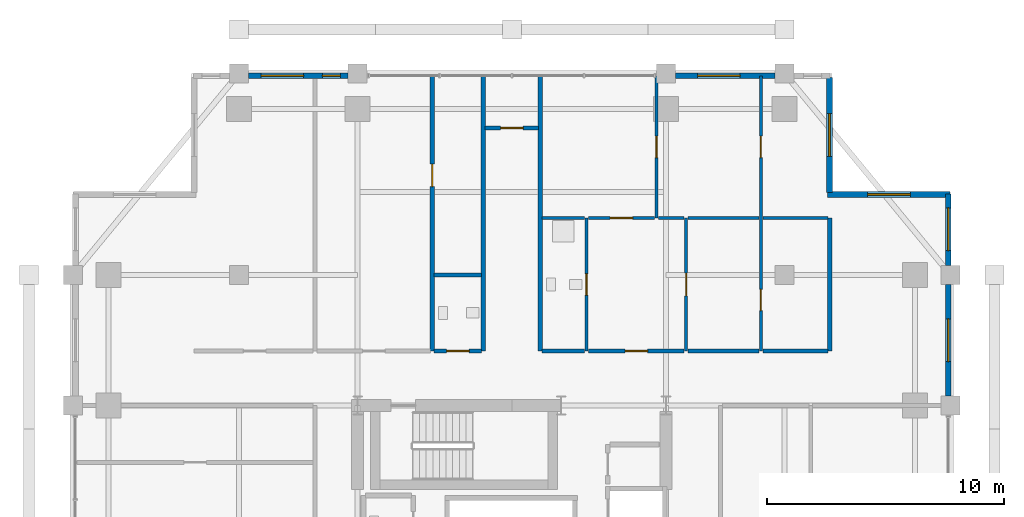
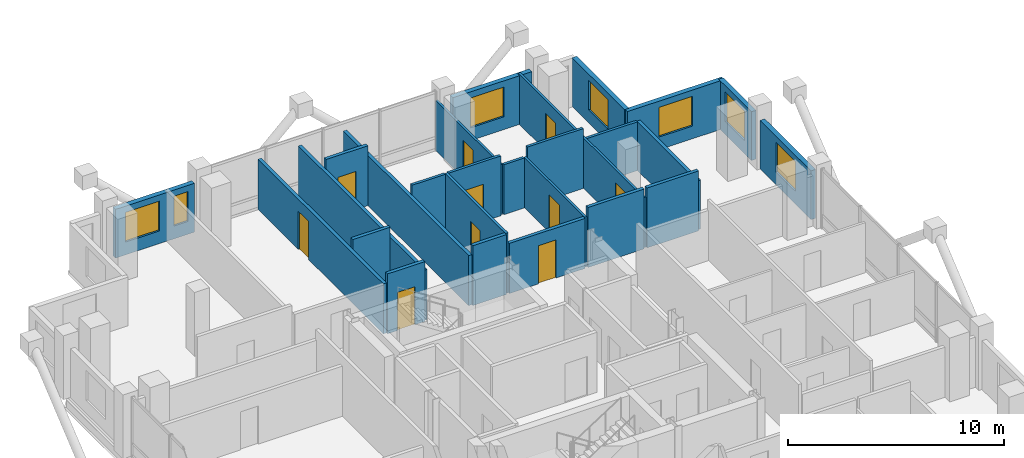
# One storey, part 21 of 24: 26 walls, 10 doors, 7 windows, 17 openings.
"""IFC4 building model written with IfcOpenShell, lengths in metres."""

from ifc_helpers import new_model, si_unit, direction, frame, frame_2d, origin, place, context, subcontext, project, spatial, rectangle, extrude, material, layer, layer_set, type_object, element, fill, save


model = new_model("IFC4")

# Units and contexts
model_context = context("Model", 3, precision=1e-05, world=origin(), true_north=direction((0.0, 1.0)))
body_context = subcontext(model_context, "Body", "Model", "MODEL_VIEW")
ifc_project = project(units=[si_unit("LENGTHUNIT", "METRE"), si_unit("AREAUNIT", "SQUARE_METRE"), si_unit("VOLUMEUNIT", "CUBIC_METRE"), si_unit("PLANEANGLEUNIT", "RADIAN"), si_unit("MASSUNIT", "GRAM", prefix="KILO")], contexts=[model_context])

# Site, building, storey
site_placement = place(None, origin())
site = spatial("IfcSite", under=ifc_project, at=site_placement, CompositionType="ELEMENT")
building_placement = place(site_placement, origin())
building = spatial("IfcBuilding", under=site, at=building_placement, Name="Barlavira Tower and Art Museum", CompositionType="ELEMENT")
storey_placement = place(building_placement, frame((0.0, 0.0, 172.800048828125)))
storey = spatial("IfcBuildingStorey", under=building, at=storey_placement, Name="L44", CompositionType="ELEMENT", Elevation=172.800048828125)

# Wall, opening, door
ifc_material_1 = material(Name="Gypsum acoustic stud partition", Category="gypsum")
ifc_layer_1 = layer(ifc_material_1, 0.1201171875, Name="Gypsum acoustic stud partition")
ifc_layer_set_1 = layer_set([ifc_layer_1], Name="Gypsum acoustic stud partition")
wall_type_1 = type_object("IfcWallType", Name="Apartment Internal Acoustic Partition 120", PredefinedType="PARTITIONING", material=ifc_layer_set_1)
wall_1_placement = place(storey_placement, frame((6.10009765625, 15.39990234375, 0.0), z_axis=(0.0, 0.0, 1.0), x_axis=(0.0, 1.0, 0.0)))
wall_1 = element("IfcWall", 1, at=wall_1_placement, inside=storey, type_object=wall_type_1, Name="L44 Partition Wall 16", PredefinedType="PARTITIONING", context=body_context, shape_type="SweptSolid", body=[
    extrude(rectangle(XDim=6.0, YDim=0.1201171875, at=frame_2d((3.0, 0.0))), origin(), (0.0, 0.0, 1.0), 2.825927734375),
])
opening_1_placement = place(wall_1_placement, frame((2.550048828125, 0.0, 0.0)))
opening_1 = element("IfcOpeningElement", 2, at=opening_1_placement, cuts=wall_1, Name="Opening D-01", PredefinedType="OPENING", context=body_context, shape_type="SweptSolid", body=[
    extrude(rectangle(XDim=0.89990234375, YDim=2.10009765625, at=frame_2d((0.449951171875, 1.050048828125))), frame((0.0, 0.070068359375, 0.0), z_axis=(0.0, -1.0, 0.0), x_axis=(1.0, 0.0, 0.0)), (0.0, 0.0, 1.0), 0.14013671875),
])
ifc_material_2 = material(Name="Engineered coastal hardwood", Category="wood")
door_type_1 = type_object("IfcDoorType", Name="Internal Bedroom Timber Flush Door 900x2100", OperationType="NOTDEFINED", PredefinedType="DOOR", material=ifc_material_2)
door_1_placement = place(opening_1_placement, origin())
door_1 = element("IfcDoor", 3, at=door_1_placement, inside=storey, type_object=door_type_1, Name="Apartment NE1 Bedroom 1 Door", OperationType="SINGLE_SWING_LEFT", OverallHeight=2.10009765625, OverallWidth=0.89990234375, PredefinedType="DOOR", context=body_context, shape_type="SweptSolid", body=[
    extrude(rectangle(XDim=0.89990234375, YDim=2.10009765625, at=frame_2d((0.449951171875, 1.050048828125))), frame((0.0, 0.02490234375, 0.0), z_axis=(0.0, -1.0, 0.0), x_axis=(1.0, 0.0, 0.0)), (0.0, 0.0, 1.0), 0.050048828125),
])
fill(opening_1, door_1)

wall_2_placement = place(storey_placement, frame((7.35009765625, 9.800048828125, 0.0), z_axis=(0.0, 0.0, 1.0), x_axis=(0.0, 1.0, 0.0)))
wall_2 = element("IfcWall", 4, at=wall_2_placement, inside=storey, type_object=wall_type_1, Name="L44 Partition Wall 18", PredefinedType="PARTITIONING", context=body_context, shape_type="SweptSolid", body=[
    extrude(rectangle(XDim=5.599853515625, YDim=0.1201171875, at=frame_2d((2.7998046875, 0.0))), origin(), (0.0, 0.0, 1.0), 2.825927734375),
])
opening_2_placement = place(wall_2_placement, frame((2.324951171875, 0.0, 0.0)))
opening_2 = element("IfcOpeningElement", 5, at=opening_2_placement, cuts=wall_2, Name="Opening D-02", PredefinedType="OPENING", context=body_context, shape_type="SweptSolid", body=[
    extrude(rectangle(XDim=0.949951171875, YDim=2.10009765625, at=frame_2d((0.47509765625, 1.050048828125))), frame((0.0, 0.070068359375, 0.0), z_axis=(0.0, -1.0, 0.0), x_axis=(1.0, 0.0, 0.0)), (0.0, 0.0, 1.0), 0.14013671875),
])
door_type_2 = type_object("IfcDoorType", Name="Living and Salon Glazed-Leaf Door 950x2100", OperationType="NOTDEFINED", PredefinedType="DOOR", material=ifc_material_2)
door_2_placement = place(opening_2_placement, origin())
door_2 = element("IfcDoor", 6, at=door_2_placement, inside=storey, type_object=door_type_2, Name="Apartment NE1 Kitchen Door", OperationType="SINGLE_SWING_RIGHT", OverallHeight=2.10009765625, OverallWidth=0.949951171875, PredefinedType="DOOR", context=body_context, shape_type="SweptSolid", body=[
    extrude(rectangle(XDim=0.949951171875, YDim=2.10009765625, at=frame_2d((0.47509765625, 1.050048828125))), frame((0.0, 0.02490234375, 0.0), z_axis=(0.0, -1.0, 0.0), x_axis=(1.0, 0.0, 0.0)), (0.0, 0.0, 1.0), 0.050048828125),
])
fill(opening_2, door_2)

# Wall, openings, doors
wall_3_placement = place(storey_placement, frame((10.5, 9.800048828125, 0.0), z_axis=(0.0, 0.0, 1.0), x_axis=(0.0, 1.0, 0.0)))
wall_3 = element("IfcWall", 7, at=wall_3_placement, inside=storey, type_object=wall_type_1, Name="L44 Partition Wall 21", PredefinedType="PARTITIONING", context=body_context, shape_type="SweptSolid", body=[
    extrude(rectangle(XDim=11.599853515625, YDim=0.1201171875, at=frame_2d((5.7998046875, 0.0))), origin(), (0.0, 0.0, 1.0), 2.825927734375),
])
opening_3_placement = place(wall_3_placement, frame((1.694091796875, 0.0, 0.0)))
opening_3 = element("IfcOpeningElement", 8, at=opening_3_placement, cuts=wall_3, Name="Opening D-01", PredefinedType="OPENING", context=body_context, shape_type="SweptSolid", body=[
    extrude(rectangle(XDim=0.89990234375, YDim=2.10009765625, at=frame_2d((0.449951171875, 1.050048828125))), frame((0.0, 0.070068359375, 0.0), z_axis=(0.0, -1.0, 0.0), x_axis=(1.0, 0.0, 0.0)), (0.0, 0.0, 1.0), 0.14013671875),
])
opening_4_placement = place(wall_3_placement, frame((8.14990234375, 0.0, 0.0)))
opening_4 = element("IfcOpeningElement", 9, at=opening_4_placement, cuts=wall_3, Name="Opening D-01", PredefinedType="OPENING", context=body_context, shape_type="SweptSolid", body=[
    extrude(rectangle(XDim=0.89990234375, YDim=2.10009765625, at=frame_2d((0.449951171875, 1.050048828125))), frame((0.0, 0.070068359375, 0.0), z_axis=(0.0, -1.0, 0.0), x_axis=(1.0, 0.0, 0.0)), (0.0, 0.0, 1.0), 0.14013671875),
])
door_3_placement = place(opening_3_placement, origin())
door_3 = element("IfcDoor", 10, at=door_3_placement, inside=storey, type_object=door_type_1, Name="Apartment NE1 Walk-In Dressing Room Door", OperationType="SINGLE_SWING_LEFT", OverallHeight=2.10009765625, OverallWidth=0.89990234375, PredefinedType="DOOR", context=body_context, shape_type="SweptSolid", body=[
    extrude(rectangle(XDim=0.89990234375, YDim=2.10009765625, at=frame_2d((0.449951171875, 1.050048828125))), frame((0.0, 0.02490234375, 0.0), z_axis=(0.0, -1.0, 0.0), x_axis=(1.0, 0.0, 0.0)), (0.0, 0.0, 1.0), 0.050048828125),
])
fill(opening_3, door_3)
door_4_placement = place(opening_4_placement, origin())
door_4 = element("IfcDoor", 11, at=door_4_placement, inside=storey, type_object=door_type_1, Name="Apartment NE1 Bedroom 2 Door", OperationType="SINGLE_SWING_RIGHT", OverallHeight=2.10009765625, OverallWidth=0.89990234375, PredefinedType="DOOR", context=body_context, shape_type="SweptSolid", body=[
    extrude(rectangle(XDim=0.89990234375, YDim=2.10009765625, at=frame_2d((0.449951171875, 1.050048828125))), frame((0.0, 0.02490234375, 0.0), z_axis=(0.0, -1.0, 0.0), x_axis=(1.0, 0.0, 0.0)), (0.0, 0.0, 1.0), 0.050048828125),
])
fill(opening_4, door_4)

# Wall, opening, door
ifc_layer_2 = layer(ifc_material_1, 0.179931640625, Name="Gypsum acoustic stud partition")
ifc_layer_set_2 = layer_set([ifc_layer_2], Name="Gypsum acoustic stud partition")
wall_type_2 = type_object("IfcWallType", Name="Inter-Tenancy Party Partition Wall 180", PredefinedType="PARTITIONING", material=ifc_layer_set_2)
wall_4_placement = place(storey_placement, frame((-3.35009765625, 9.800048828125, 0.0), z_axis=(0.0, 0.0, 1.0), x_axis=(0.0, 1.0, 0.0)))
wall_4 = element("IfcWall", 12, at=wall_4_placement, inside=storey, type_object=wall_type_2, Name="L44 Partition Wall 7", PredefinedType="PARTITIONING", context=body_context, shape_type="SweptSolid", body=[
    extrude(rectangle(XDim=11.599853515625, YDim=0.179931640625, at=frame_2d((5.7998046875, 0.0))), origin(), (0.0, 0.0, 1.0), 2.825927734375),
])
opening_5_placement = place(wall_4_placement, frame((6.925048828125, 0.0, 0.0)))
opening_5 = element("IfcOpeningElement", 13, at=opening_5_placement, cuts=wall_4, Name="Opening FD-60", PredefinedType="OPENING", context=body_context, shape_type="SweptSolid", body=[
    extrude(rectangle(XDim=0.949951171875, YDim=2.14990234375, at=frame_2d((0.47509765625, 1.074951171875))), frame((0.0, 0.10009765625, 0.0), z_axis=(0.0, -1.0, 0.0), x_axis=(1.0, 0.0, 0.0)), (0.0, 0.0, 1.0), 0.199951171875),
])
ifc_material_3 = material(Name="Brushed stainless steel", Category="steel")
door_type_3 = type_object("IfcDoorType", Name="Apartment Entrance and Riser Fire Door 950x2150 FD60S", OperationType="NOTDEFINED", PredefinedType="DOOR", material=ifc_material_3)
door_5_placement = place(opening_5_placement, origin())
door_5 = element("IfcDoor", 14, at=door_5_placement, inside=storey, type_object=door_type_3, Name="Thermal Relaxation Lounge Door", OperationType="SINGLE_SWING_LEFT", OverallHeight=2.14990234375, OverallWidth=0.949951171875, PredefinedType="DOOR", context=body_context, shape_type="SweptSolid", body=[
    extrude(rectangle(XDim=0.949951171875, YDim=2.14990234375, at=frame_2d((0.47509765625, 1.074951171875))), frame((0.0, 0.02490234375, 0.0), z_axis=(0.0, -1.0, 0.0), x_axis=(1.0, 0.0, 0.0)), (0.0, 0.0, 1.0), 0.050048828125),
])
fill(opening_5, door_5)

# Walls
for number, where, z_axis, x_axis, name in (
    (15, (-1.199951171875, 9.800048828125, 0.0), (0.0, 0.0, 1.0), (0.0, 1.0, 0.0), "L44 Partition Wall 9"),
    (16, (1.199951171875, 9.800048828125, 0.0), (0.0, 0.0, 1.0), (0.0, 1.0, 0.0), "L44 Partition Wall 11"),
):
    element("IfcWall", number, at=place(storey_placement, frame(where, z_axis=z_axis, x_axis=x_axis)), inside=storey, type_object=wall_type_2, Name=name, PredefinedType="PARTITIONING", context=body_context, shape_type="SweptSolid", body=[
        extrude(rectangle(XDim=11.599853515625, YDim=0.179931640625, at=frame_2d((5.7998046875, 0.0))), origin(), (0.0, 0.0, 1.0), 2.825927734375),
    ])
wall_5_placement = place(storey_placement, frame((13.39990234375, 9.800048828125, 0.0), z_axis=(0.0, 0.0, 1.0), x_axis=(0.0, 1.0, 0.0)))
element("IfcWall", 17, at=wall_5_placement, inside=storey, type_object=wall_type_2, Name="L44 Partition Wall 24", PredefinedType="PARTITIONING", context=body_context, shape_type="SweptSolid", body=[
    extrude(rectangle(XDim=5.599853515625, YDim=0.179931640625, at=frame_2d((2.7998046875, 0.0))), origin(), (0.0, 0.0, 1.0), 2.748046875),
])

# Wall, opening, door
wall_6_placement = place(storey_placement, frame((-3.27001953125, 9.800048828125, 0.0), z_axis=(0.0, 0.0, 1.0), x_axis=(1.0, 0.0, 0.0)))
wall_6 = element("IfcWall", 18, at=wall_6_placement, inside=storey, type_object=wall_type_2, Name="L44 Partition Wall 57", PredefinedType="PARTITIONING", context=body_context, shape_type="SweptSolid", body=[
    extrude(rectangle(XDim=1.989990234375, YDim=0.179931640625, at=frame_2d((0.9951171875, 0.0))), origin(), (0.0, 0.0, 1.0), 3.3798828125),
])
opening_6_placement = place(wall_6_placement, frame((0.52490234375, 0.0, 0.0)))
opening_6 = element("IfcOpeningElement", 19, at=opening_6_placement, cuts=wall_6, Name="Opening FD-60", PredefinedType="OPENING", context=body_context, shape_type="SweptSolid", body=[
    extrude(rectangle(XDim=0.949951171875, YDim=2.14990234375, at=frame_2d((0.47509765625, 1.074951171875))), frame((0.0, 0.10009765625, 0.0), z_axis=(0.0, -1.0, 0.0), x_axis=(1.0, 0.0, 0.0)), (0.0, 0.0, 1.0), 0.199951171875),
])
door_6_placement = place(opening_6_placement, origin())
door_6 = element("IfcDoor", 20, at=door_6_placement, inside=storey, type_object=door_type_3, Name="Wellness Changing and Accessible Shower WC Door", OperationType="SINGLE_SWING_RIGHT", OverallHeight=2.14990234375, OverallWidth=0.949951171875, PredefinedType="DOOR", context=body_context, shape_type="SweptSolid", body=[
    extrude(rectangle(XDim=0.949951171875, YDim=2.14990234375, at=frame_2d((0.47509765625, 1.074951171875))), frame((0.0, 0.02490234375, 0.0), z_axis=(0.0, -1.0, 0.0), x_axis=(1.0, 0.0, 0.0)), (0.0, 0.0, 1.0), 0.050048828125),
])
fill(opening_6, door_6)

# Wall
wall_7_placement = place(storey_placement, frame((1.280029296875, 9.800048828125, 0.0), z_axis=(0.0, 0.0, 1.0), x_axis=(1.0, 0.0, 0.0)))
element("IfcWall", 21, at=wall_7_placement, inside=storey, type_object=wall_type_2, Name="L44 Partition Wall 58", PredefinedType="PARTITIONING", context=body_context, shape_type="SweptSolid", body=[
    extrude(rectangle(XDim=1.7900390625, YDim=0.179931640625, at=frame_2d((0.89501953125, 0.0))), origin(), (0.0, 0.0, 1.0), 3.3798828125),
])

# Wall, opening, door
wall_8_placement = place(storey_placement, frame((3.22998046875, 9.800048828125, 0.0), z_axis=(0.0, 0.0, 1.0), x_axis=(1.0, 0.0, 0.0)))
wall_8 = element("IfcWall", 22, at=wall_8_placement, inside=storey, type_object=wall_type_2, Name="L44 Partition Wall 59", PredefinedType="PARTITIONING", context=body_context, shape_type="SweptSolid", body=[
    extrude(rectangle(XDim=4.0400390625, YDim=0.179931640625, at=frame_2d((2.02001953125, 0.0))), origin(), (0.0, 0.0, 1.0), 2.825927734375),
])
opening_7_placement = place(wall_8_placement, frame((1.544921875, 0.0, 0.0)))
opening_7 = element("IfcOpeningElement", 23, at=opening_7_placement, cuts=wall_8, Name="Opening FD-60", PredefinedType="OPENING", context=body_context, shape_type="SweptSolid", body=[
    extrude(rectangle(XDim=0.949951171875, YDim=2.14990234375, at=frame_2d((0.47509765625, 1.074951171875))), frame((0.0, 0.10009765625, 0.0), z_axis=(0.0, -1.0, 0.0), x_axis=(1.0, 0.0, 0.0)), (0.0, 0.0, 1.0), 0.199951171875),
])
door_7_placement = place(opening_7_placement, origin())
door_7 = element("IfcDoor", 24, at=door_7_placement, inside=storey, type_object=door_type_3, Name="Apartment Entrance Hall NE1 Door", OperationType="SINGLE_SWING_LEFT", OverallHeight=2.14990234375, OverallWidth=0.949951171875, PredefinedType="DOOR", context=body_context, shape_type="SweptSolid", body=[
    extrude(rectangle(XDim=0.949951171875, YDim=2.14990234375, at=frame_2d((0.47509765625, 1.074951171875))), frame((0.0, 0.02490234375, 0.0), z_axis=(0.0, -1.0, 0.0), x_axis=(1.0, 0.0, 0.0)), (0.0, 0.0, 1.0), 0.050048828125),
])
fill(opening_7, door_7)

# Walls
wall_9_placement = place(storey_placement, frame((7.429931640625, 9.800048828125, 0.0), z_axis=(0.0, 0.0, 1.0), x_axis=(1.0, 0.0, 0.0)))
element("IfcWall", 25, at=wall_9_placement, inside=storey, type_object=wall_type_2, Name="L44 Partition Wall 60", PredefinedType="PARTITIONING", context=body_context, shape_type="SweptSolid", body=[
    extrude(rectangle(XDim=2.989990234375, YDim=0.179931640625, at=frame_2d((1.4951171875, 0.0))), origin(), (0.0, 0.0, 1.0), 3.3798828125),
])
wall_10_placement = place(storey_placement, frame((10.580078125, 9.800048828125, 0.0), z_axis=(0.0, 0.0, 1.0), x_axis=(1.0, 0.0, 0.0)))
element("IfcWall", 26, at=wall_10_placement, inside=storey, type_object=wall_type_2, Name="L44 Partition Wall 61", PredefinedType="PARTITIONING", context=body_context, shape_type="SweptSolid", body=[
    extrude(rectangle(XDim=2.739990234375, YDim=0.179931640625, at=frame_2d((1.3701171875, 0.0))), origin(), (0.0, 0.0, 1.0), 3.3798828125),
])
wall_11_placement = place(storey_placement, frame((-3.27001953125, 13.0, 0.0), z_axis=(0.0, 0.0, 1.0), x_axis=(1.0, 0.0, 0.0)))
element("IfcWall", 27, at=wall_11_placement, inside=storey, type_object=wall_type_2, Name="L44 Partition Wall 62", PredefinedType="PARTITIONING", context=body_context, shape_type="SweptSolid", body=[
    extrude(rectangle(XDim=1.989990234375, YDim=0.179931640625, at=frame_2d((0.9951171875, 0.0))), origin(), (0.0, 0.0, 1.0), 3.3798828125),
])

# Wall, opening, door
wall_12_placement = place(storey_placement, frame((-1.1201171875, 19.199951171875, 0.0), z_axis=(0.0, 0.0, 1.0), x_axis=(1.0, 0.0, 0.0)))
wall_12 = element("IfcWall", 28, at=wall_12_placement, inside=storey, type_object=wall_type_2, Name="L44 Partition Wall 68", PredefinedType="PARTITIONING", context=body_context, shape_type="SweptSolid", body=[
    extrude(rectangle(XDim=2.240234375, YDim=0.179931640625, at=frame_2d((1.1201171875, 0.0))), origin(), (0.0, 0.0, 1.0), 3.3798828125),
])
opening_8_placement = place(wall_12_placement, frame((0.64501953125, 0.0, 0.0)))
opening_8 = element("IfcOpeningElement", 29, at=opening_8_placement, cuts=wall_12, Name="Opening FD-60", PredefinedType="OPENING", context=body_context, shape_type="SweptSolid", body=[
    extrude(rectangle(XDim=0.949951171875, YDim=2.14990234375, at=frame_2d((0.47509765625, 1.074951171875))), frame((0.0, 0.10009765625, 0.0), z_axis=(0.0, -1.0, 0.0), x_axis=(1.0, 0.0, 0.0)), (0.0, 0.0, 1.0), 0.199951171875),
])
door_8_placement = place(opening_8_placement, origin())
door_8 = element("IfcDoor", 30, at=door_8_placement, inside=storey, type_object=door_type_3, Name="L44 North Ocean Alcove Door", OperationType="SINGLE_SWING_LEFT", OverallHeight=2.14990234375, OverallWidth=0.949951171875, PredefinedType="DOOR", context=body_context, shape_type="SweptSolid", body=[
    extrude(rectangle(XDim=0.949951171875, YDim=2.14990234375, at=frame_2d((0.47509765625, 1.074951171875))), frame((0.0, 0.02490234375, 0.0), z_axis=(0.0, -1.0, 0.0), x_axis=(1.0, 0.0, 0.0)), (0.0, 0.0, 1.0), 0.050048828125),
])
fill(opening_8, door_8)

ifc_layer_3 = layer(ifc_material_1, 0.139892578125, Name="Gypsum acoustic stud partition")
ifc_layer_set_3 = layer_set([ifc_layer_3], Name="Gypsum acoustic stud partition")
wall_type_3 = type_object("IfcWallType", Name="Moisture-Resistant Bathroom Partition 140", PredefinedType="PARTITIONING", material=ifc_layer_set_3)
wall_13_placement = place(storey_placement, frame((3.14990234375, 9.800048828125, 0.0), z_axis=(0.0, 0.0, 1.0), x_axis=(0.0, 1.0, 0.0)))
wall_13 = element("IfcWall", 31, at=wall_13_placement, inside=storey, type_object=wall_type_3, Name="L44 Partition Wall 13", PredefinedType="PARTITIONING", context=body_context, shape_type="SweptSolid", body=[
    extrude(rectangle(XDim=5.599853515625, YDim=0.139892578125, at=frame_2d((2.7998046875, 0.0))), origin(), (0.0, 0.0, 1.0), 3.3798828125),
])
opening_9_placement = place(wall_13_placement, frame((2.35009765625, 0.0, 0.0)))
opening_9 = element("IfcOpeningElement", 32, at=opening_9_placement, cuts=wall_13, Name="Opening D-WC", PredefinedType="OPENING", context=body_context, shape_type="SweptSolid", body=[
    extrude(rectangle(XDim=0.89990234375, YDim=2.10009765625, at=frame_2d((0.449951171875, 1.050048828125))), frame((0.0, 0.080078125, 0.0), z_axis=(0.0, -1.0, 0.0), x_axis=(1.0, 0.0, 0.0)), (0.0, 0.0, 1.0), 0.159912109375),
])
door_type_4 = type_object("IfcDoorType", Name="Accessible Bathroom Flush Door 900x2100", OperationType="NOTDEFINED", PredefinedType="DOOR", material=ifc_material_2)
door_9_placement = place(opening_9_placement, origin())
door_9 = element("IfcDoor", 33, at=door_9_placement, inside=storey, type_object=door_type_4, Name="Apartment NE1 Hall Bathroom Door", OperationType="SINGLE_SWING_RIGHT", OverallHeight=2.10009765625, OverallWidth=0.89990234375, PredefinedType="DOOR", context=body_context, shape_type="SweptSolid", body=[
    extrude(rectangle(XDim=0.89990234375, YDim=2.10009765625, at=frame_2d((0.449951171875, 1.050048828125))), frame((0.0, 0.02490234375, 0.0), z_axis=(0.0, -1.0, 0.0), x_axis=(1.0, 0.0, 0.0)), (0.0, 0.0, 1.0), 0.050048828125),
])
fill(opening_9, door_9)

# Wall
wall_14_placement = place(storey_placement, frame((1.280029296875, 15.39990234375, 0.0), z_axis=(0.0, 0.0, 1.0), x_axis=(1.0, 0.0, 0.0)))
element("IfcWall", 34, at=wall_14_placement, inside=storey, type_object=wall_type_3, Name="L44 Partition Wall 63", PredefinedType="PARTITIONING", context=body_context, shape_type="SweptSolid", body=[
    extrude(rectangle(XDim=1.7900390625, YDim=0.139892578125, at=frame_2d((0.89501953125, 0.0))), origin(), (0.0, 0.0, 1.0), 3.3798828125),
])

# Wall, opening, door
wall_15_placement = place(storey_placement, frame((3.22998046875, 15.39990234375, 0.0), z_axis=(0.0, 0.0, 1.0), x_axis=(1.0, 0.0, 0.0)))
wall_15 = element("IfcWall", 35, at=wall_15_placement, inside=storey, type_object=wall_type_3, Name="L44 Partition Wall 64", PredefinedType="PARTITIONING", context=body_context, shape_type="SweptSolid", body=[
    extrude(rectangle(XDim=2.7900390625, YDim=0.139892578125, at=frame_2d((1.39501953125, 0.0))), origin(), (0.0, 0.0, 1.0), 3.3798828125),
])
opening_10_placement = place(wall_15_placement, frame((0.9150390625, 0.0, 0.0)))
opening_10 = element("IfcOpeningElement", 36, at=opening_10_placement, cuts=wall_15, Name="Opening D-02", PredefinedType="OPENING", context=body_context, shape_type="SweptSolid", body=[
    extrude(rectangle(XDim=0.949951171875, YDim=2.10009765625, at=frame_2d((0.47509765625, 1.050048828125))), frame((0.0, 0.080078125, 0.0), z_axis=(0.0, -1.0, 0.0), x_axis=(1.0, 0.0, 0.0)), (0.0, 0.0, 1.0), 0.159912109375),
])
door_10_placement = place(opening_10_placement, origin())
door_10 = element("IfcDoor", 37, at=door_10_placement, inside=storey, type_object=door_type_2, Name="Apartment NE1 Living Lounge Door", OperationType="SINGLE_SWING_RIGHT", OverallHeight=2.10009765625, OverallWidth=0.949951171875, PredefinedType="DOOR", context=body_context, shape_type="SweptSolid", body=[
    extrude(rectangle(XDim=0.949951171875, YDim=2.10009765625, at=frame_2d((0.47509765625, 1.050048828125))), frame((0.0, 0.02490234375, 0.0), z_axis=(0.0, -1.0, 0.0), x_axis=(1.0, 0.0, 0.0)), (0.0, 0.0, 1.0), 0.050048828125),
])
fill(opening_10, door_10)

# Walls
wall_16_placement = place(storey_placement, frame((6.179931640625, 15.39990234375, 0.0), z_axis=(0.0, 0.0, 1.0), x_axis=(1.0, 0.0, 0.0)))
element("IfcWall", 38, at=wall_16_placement, inside=storey, type_object=wall_type_3, Name="L44 Partition Wall 65", PredefinedType="PARTITIONING", context=body_context, shape_type="SweptSolid", body=[
    extrude(rectangle(XDim=1.090087890625, YDim=0.139892578125, at=frame_2d((0.544921875, 0.0))), origin(), (0.0, 0.0, 1.0), 2.825927734375),
])
wall_17_placement = place(storey_placement, frame((7.429931640625, 15.39990234375, 0.0), z_axis=(0.0, 0.0, 1.0), x_axis=(1.0, 0.0, 0.0)))
element("IfcWall", 39, at=wall_17_placement, inside=storey, type_object=wall_type_3, Name="L44 Partition Wall 66", PredefinedType="PARTITIONING", context=body_context, shape_type="SweptSolid", body=[
    extrude(rectangle(XDim=2.989990234375, YDim=0.139892578125, at=frame_2d((1.4951171875, 0.0))), origin(), (0.0, 0.0, 1.0), 3.3798828125),
])
wall_18_placement = place(storey_placement, frame((10.580078125, 15.39990234375, 0.0), z_axis=(0.0, 0.0, 1.0), x_axis=(1.0, 0.0, 0.0)))
element("IfcWall", 40, at=wall_18_placement, inside=storey, type_object=wall_type_3, Name="L44 Partition Wall 67", PredefinedType="PARTITIONING", context=body_context, shape_type="SweptSolid", body=[
    extrude(rectangle(XDim=2.739990234375, YDim=0.139892578125, at=frame_2d((1.3701171875, 0.0))), origin(), (0.0, 0.0, 1.0), 2.748046875),
])

# Wall, opening, window
ifc_material_4 = material(Name="Precast concrete C40", Category="concrete")
ifc_layer_4 = layer(ifc_material_4, 0.25, Name="Precast concrete C40")
ifc_layer_set_4 = layer_set([ifc_layer_4], Name="Precast concrete C40")
wall_type_4 = type_object("IfcWallType", Name="Notched Corner Spandrel Wall 250 Precast Concrete C40", PredefinedType="SOLIDWALL", material=ifc_layer_set_4)
wall_19_placement = place(storey_placement, frame((11.10498046875, 21.39990234375, 0.0), z_axis=(0.0, 0.0, 1.0), x_axis=(-1.0, 0.0, 0.0)))
wall_19 = element("IfcWall", 41, at=wall_19_placement, inside=storey, type_object=wall_type_4, Name="L44 Coastal Facade Pier Wall CW3-L44-N-2", PredefinedType="SOLIDWALL", context=body_context, shape_type="SweptSolid", body=[
    extrude(rectangle(XDim=4.2099609375, YDim=0.25, at=frame_2d((2.10498046875, 0.0))), origin(), (0.0, 0.0, 1.0), 2.748046875),
])
opening_11_placement = place(wall_19_placement, frame((1.47509765625, 0.0, 0.719970703125)))
opening_11 = element("IfcOpeningElement", 42, at=opening_11_placement, cuts=wall_19, Name="Opening WN-01", PredefinedType="OPENING", context=body_context, shape_type="SweptSolid", body=[
    extrude(rectangle(XDim=1.800048828125, YDim=1.679931640625, at=frame_2d((0.89990234375, 0.83984375))), frame((0.0, 0.135009765625, 0.0), z_axis=(0.0, -1.0, 0.0), x_axis=(1.0, 0.0, 0.0)), (0.0, 0.0, 1.0), 0.27001953125),
])
ifc_material_5 = material(Name="Low-iron coastal laminated glass", Category="glass")
window_type_1 = type_object("IfcWindowType", Name="Recessed Notch Corner Punch Window 1800x1680", PartitioningType="SINGLE_PANEL", PredefinedType="WINDOW", material=ifc_material_5)
window_1_placement = place(opening_11_placement, origin())
window_1 = element("IfcWindow", 43, at=window_1_placement, inside=storey, type_object=window_type_1, Name="L44 Punched Facade Window EWP-CW3-L44-N-2-1", OverallHeight=1.679931640625, OverallWidth=1.800048828125, PartitioningType="SINGLE_PANEL", PredefinedType="WINDOW", context=body_context, shape_type="SweptSolid", body=[
    extrude(rectangle(XDim=1.800048828125, YDim=1.679931640625, at=frame_2d((0.89990234375, 0.83984375))), frame((0.0, 0.030029296875, 0.0), z_axis=(0.0, -1.0, 0.0), x_axis=(1.0, 0.0, 0.0)), (0.0, 0.0, 1.0), 0.06005859375),
])
fill(opening_11, window_1)

# Wall, openings, windows
wall_20_placement = place(storey_placement, frame((-6.89501953125, 21.39990234375, 0.0), z_axis=(0.0, 0.0, 1.0), x_axis=(-1.0, 0.0, 0.0)))
wall_20 = element("IfcWall", 44, at=wall_20_placement, inside=storey, type_object=wall_type_4, Name="L44 Coastal Facade Pier Wall CW3-L44-N-4", PredefinedType="SOLIDWALL", context=body_context, shape_type="SweptSolid", body=[
    extrude(rectangle(XDim=4.2099609375, YDim=0.25, at=frame_2d((2.10498046875, 0.0))), origin(), (0.0, 0.0, 1.0), 2.748046875),
])
opening_12_placement = place(wall_20_placement, frame((0.3349609375, 0.0, 0.719970703125)))
opening_12 = element("IfcOpeningElement", 45, at=opening_12_placement, cuts=wall_20, Name="Opening WN-06", PredefinedType="OPENING", context=body_context, shape_type="SweptSolid", body=[
    extrude(rectangle(XDim=0.760009765625, YDim=1.679931640625, at=frame_2d((0.3798828125, 0.83984375))), frame((0.0, 0.135009765625, 0.0), z_axis=(0.0, -1.0, 0.0), x_axis=(1.0, 0.0, 0.0)), (0.0, 0.0, 1.0), 0.27001953125),
])
opening_13_placement = place(wall_20_placement, frame((1.875, 0.0, 0.719970703125)))
opening_13 = element("IfcOpeningElement", 46, at=opening_13_placement, cuts=wall_20, Name="Opening WN-01", PredefinedType="OPENING", context=body_context, shape_type="SweptSolid", body=[
    extrude(rectangle(XDim=1.800048828125, YDim=1.679931640625, at=frame_2d((0.89990234375, 0.83984375))), frame((0.0, 0.135009765625, 0.0), z_axis=(0.0, -1.0, 0.0), x_axis=(1.0, 0.0, 0.0)), (0.0, 0.0, 1.0), 0.27001953125),
])
window_type_2 = type_object("IfcWindowType", Name="Recessed Narrow Pier Window 760x1680", PartitioningType="SINGLE_PANEL", PredefinedType="WINDOW", material=ifc_material_5)
window_2_placement = place(opening_12_placement, origin())
window_2 = element("IfcWindow", 47, at=window_2_placement, inside=storey, type_object=window_type_2, Name="L44 Punched Facade Window EWP-CW3-L44-N-4-1", OverallHeight=1.679931640625, OverallWidth=0.760009765625, PartitioningType="SINGLE_PANEL", PredefinedType="WINDOW", context=body_context, shape_type="SweptSolid", body=[
    extrude(rectangle(XDim=0.760009765625, YDim=1.679931640625, at=frame_2d((0.3798828125, 0.83984375))), frame((0.0, 0.030029296875, 0.0), z_axis=(0.0, -1.0, 0.0), x_axis=(1.0, 0.0, 0.0)), (0.0, 0.0, 1.0), 0.06005859375),
])
fill(opening_12, window_2)
window_3_placement = place(opening_13_placement, origin())
window_3 = element("IfcWindow", 48, at=window_3_placement, inside=storey, type_object=window_type_1, Name="L44 Punched Facade Window EWP-CW3-L44-N-4-2", OverallHeight=1.679931640625, OverallWidth=1.800048828125, PartitioningType="SINGLE_PANEL", PredefinedType="WINDOW", context=body_context, shape_type="SweptSolid", body=[
    extrude(rectangle(XDim=1.800048828125, YDim=1.679931640625, at=frame_2d((0.89990234375, 0.83984375))), frame((0.0, 0.030029296875, 0.0), z_axis=(0.0, -1.0, 0.0), x_axis=(1.0, 0.0, 0.0)), (0.0, 0.0, 1.0), 0.06005859375),
])
fill(opening_13, window_3)

# Wall, opening, window
wall_21_placement = place(storey_placement, frame((18.39990234375, 7.89501953125, 0.0), z_axis=(0.0, 0.0, 1.0), x_axis=(0.0, 1.0, 0.0)))
wall_21 = element("IfcWall", 49, at=wall_21_placement, inside=storey, type_object=wall_type_4, Name="L44 Coastal Facade Pier Wall CW3-L44-E-4", PredefinedType="SOLIDWALL", context=body_context, shape_type="SweptSolid", body=[
    extrude(rectangle(XDim=4.7099609375, YDim=0.25, at=frame_2d((2.35498046875, 0.0))), origin(), (0.0, 0.0, 1.0), 2.748046875),
])
opening_14_placement = place(wall_21_placement, frame((1.455078125, 0.0, 0.719970703125)))
opening_14 = element("IfcOpeningElement", 50, at=opening_14_placement, cuts=wall_21, Name="Opening WN-01", PredefinedType="OPENING", context=body_context, shape_type="SweptSolid", body=[
    extrude(rectangle(XDim=1.800048828125, YDim=1.679931640625, at=frame_2d((0.89990234375, 0.83984375))), frame((0.0, 0.135009765625, 0.0), z_axis=(0.0, -1.0, 0.0), x_axis=(1.0, 0.0, 0.0)), (0.0, 0.0, 1.0), 0.27001953125),
])
window_4_placement = place(opening_14_placement, origin())
window_4 = element("IfcWindow", 51, at=window_4_placement, inside=storey, type_object=window_type_1, Name="L44 Punched Facade Window EWP-CW3-L44-E-4-1", OverallHeight=1.679931640625, OverallWidth=1.800048828125, PartitioningType="SINGLE_PANEL", PredefinedType="WINDOW", context=body_context, shape_type="SweptSolid", body=[
    extrude(rectangle(XDim=1.800048828125, YDim=1.679931640625, at=frame_2d((0.89990234375, 0.83984375))), frame((0.0, 0.030029296875, 0.0), z_axis=(0.0, -1.0, 0.0), x_axis=(1.0, 0.0, 0.0)), (0.0, 0.0, 1.0), 0.06005859375),
])
fill(opening_14, window_4)

wall_22_placement = place(storey_placement, frame((18.39990234375, 13.39501953125, 0.0), z_axis=(0.0, 0.0, 1.0), x_axis=(0.0, 1.0, 0.0)))
wall_22 = element("IfcWall", 52, at=wall_22_placement, inside=storey, type_object=wall_type_4, Name="L44 Coastal Facade Pier Wall CW3-L44-E-5", PredefinedType="SOLIDWALL", context=body_context, shape_type="SweptSolid", body=[
    extrude(rectangle(XDim=3.030029296875, YDim=0.25, at=frame_2d((1.51513671875, 0.0))), origin(), (0.0, 0.0, 1.0), 2.748046875),
])
opening_15_placement = place(wall_22_placement, frame((0.637939453125, 0.0, 0.719970703125)))
opening_15 = element("IfcOpeningElement", 53, at=opening_15_placement, cuts=wall_22, Name="Opening WN-01", PredefinedType="OPENING", context=body_context, shape_type="SweptSolid", body=[
    extrude(rectangle(XDim=1.800048828125, YDim=1.679931640625, at=frame_2d((0.89990234375, 0.83984375))), frame((0.0, 0.135009765625, 0.0), z_axis=(0.0, -1.0, 0.0), x_axis=(1.0, 0.0, 0.0)), (0.0, 0.0, 1.0), 0.27001953125),
])
window_5_placement = place(opening_15_placement, origin())
window_5 = element("IfcWindow", 54, at=window_5_placement, inside=storey, type_object=window_type_1, Name="L44 Punched Facade Window EWP-CW3-L44-E-5-1", OverallHeight=1.679931640625, OverallWidth=1.800048828125, PartitioningType="SINGLE_PANEL", PredefinedType="WINDOW", context=body_context, shape_type="SweptSolid", body=[
    extrude(rectangle(XDim=1.800048828125, YDim=1.679931640625, at=frame_2d((0.89990234375, 0.83984375))), frame((0.0, 0.030029296875, 0.0), z_axis=(0.0, -1.0, 0.0), x_axis=(1.0, 0.0, 0.0)), (0.0, 0.0, 1.0), 0.06005859375),
])
fill(opening_15, window_5)

wall_23_placement = place(storey_placement, frame((18.47998046875, 16.39990234375, 0.0), z_axis=(0.0, 0.0, 1.0), x_axis=(-1.0, 0.0, 0.0)))
wall_23 = element("IfcWall", 55, at=wall_23_placement, inside=storey, type_object=wall_type_4, Name="L44 Notch Corner Wall NE1", PredefinedType="SOLIDWALL", context=body_context, shape_type="SweptSolid", body=[
    extrude(rectangle(XDim=5.159912109375, YDim=0.25, at=frame_2d((2.580078125, 0.0))), origin(), (0.0, 0.0, 1.0), 2.748046875),
])
opening_16_placement = place(wall_23_placement, frame((1.679931640625, 0.0, 0.719970703125)))
opening_16 = element("IfcOpeningElement", 56, at=opening_16_placement, cuts=wall_23, Name="Opening WN-01", PredefinedType="OPENING", context=body_context, shape_type="SweptSolid", body=[
    extrude(rectangle(XDim=1.800048828125, YDim=1.679931640625, at=frame_2d((0.89990234375, 0.83984375))), frame((0.0, 0.135009765625, 0.0), z_axis=(0.0, -1.0, 0.0), x_axis=(1.0, 0.0, 0.0)), (0.0, 0.0, 1.0), 0.27001953125),
])
window_6_placement = place(opening_16_placement, origin())
window_6 = element("IfcWindow", 57, at=window_6_placement, inside=storey, type_object=window_type_1, Name="L44 Punched Facade Window EW-NTC-L44-NE1-1", OverallHeight=1.679931640625, OverallWidth=1.800048828125, PartitioningType="SINGLE_PANEL", PredefinedType="WINDOW", context=body_context, shape_type="SweptSolid", body=[
    extrude(rectangle(XDim=1.800048828125, YDim=1.679931640625, at=frame_2d((0.89990234375, 0.83984375))), frame((0.0, 0.030029296875, 0.0), z_axis=(0.0, -1.0, 0.0), x_axis=(1.0, 0.0, 0.0)), (0.0, 0.0, 1.0), 0.06005859375),
])
fill(opening_16, window_6)

wall_24_placement = place(storey_placement, frame((13.39990234375, 16.47998046875, 0.0), z_axis=(0.0, 0.0, 1.0), x_axis=(0.0, 1.0, 0.0)))
wall_24 = element("IfcWall", 58, at=wall_24_placement, inside=storey, type_object=wall_type_4, Name="L44 Notch Corner Wall NE2", PredefinedType="SOLIDWALL", context=body_context, shape_type="SweptSolid", body=[
    extrude(rectangle(XDim=4.840087890625, YDim=0.25, at=frame_2d((2.419921875, 0.0))), origin(), (0.0, 0.0, 1.0), 2.748046875),
])
opening_17_placement = place(wall_24_placement, frame((1.52001953125, 0.0, 0.719970703125)))
opening_17 = element("IfcOpeningElement", 59, at=opening_17_placement, cuts=wall_24, Name="Opening WN-01", PredefinedType="OPENING", context=body_context, shape_type="SweptSolid", body=[
    extrude(rectangle(XDim=1.800048828125, YDim=1.679931640625, at=frame_2d((0.89990234375, 0.83984375))), frame((0.0, 0.135009765625, 0.0), z_axis=(0.0, -1.0, 0.0), x_axis=(1.0, 0.0, 0.0)), (0.0, 0.0, 1.0), 0.27001953125),
])
window_7_placement = place(opening_17_placement, origin())
window_7 = element("IfcWindow", 60, at=window_7_placement, inside=storey, type_object=window_type_1, Name="L44 Punched Facade Window EW-NTC-L44-NE2-1", OverallHeight=1.679931640625, OverallWidth=1.800048828125, PartitioningType="SINGLE_PANEL", PredefinedType="WINDOW", context=body_context, shape_type="SweptSolid", body=[
    extrude(rectangle(XDim=1.800048828125, YDim=1.679931640625, at=frame_2d((0.89990234375, 0.83984375))), frame((0.0, 0.030029296875, 0.0), z_axis=(0.0, -1.0, 0.0), x_axis=(1.0, 0.0, 0.0)), (0.0, 0.0, 1.0), 0.06005859375),
])
fill(opening_17, window_7)

save(model, "model.ifc")
